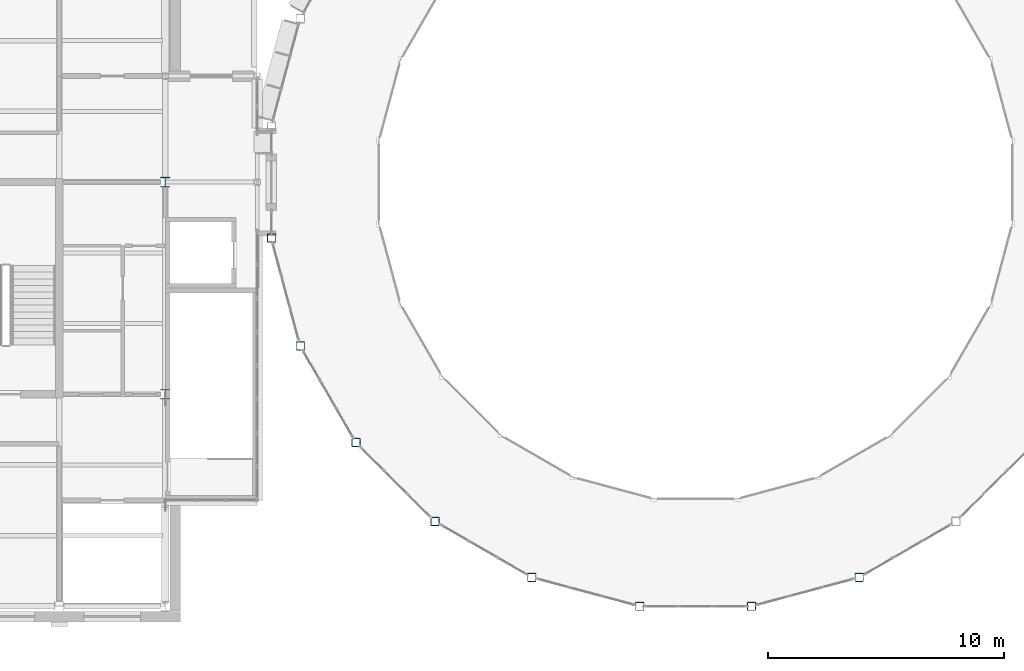
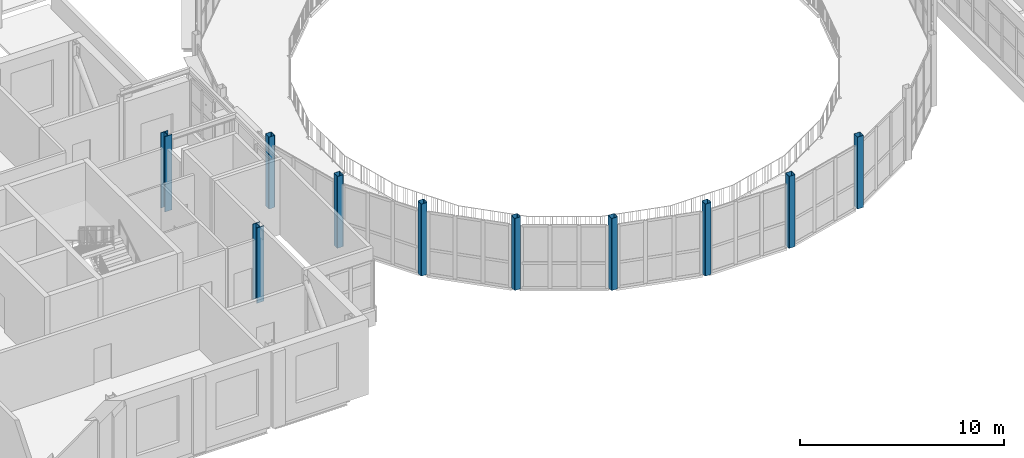
# One storey, part 2 of 74: 10 columns.
"""IFC4 building model written with IfcOpenShell, lengths in metres."""

from ifc_helpers import new_model, si_unit, direction, frame, origin, origin_2d, place, context, subcontext, project, spatial, hollow_rectangle, i_section, extrude, material, material_profile, profile_set, type_object, element, save


model = new_model("IFC4")

# Units and contexts
model_context = context("Model", 3, precision=1e-05, world=origin(), true_north=direction((0.0, 1.0)))
body_context = subcontext(model_context, "Body", "Model", "MODEL_VIEW")
ifc_project = project(units=[si_unit("LENGTHUNIT", "METRE"), si_unit("AREAUNIT", "SQUARE_METRE"), si_unit("VOLUMEUNIT", "CUBIC_METRE"), si_unit("PLANEANGLEUNIT", "RADIAN"), si_unit("MASSUNIT", "GRAM", prefix="KILO")], contexts=[model_context])

# Site, building, storey
site_placement = place(None, origin())
site = spatial("IfcSite", under=ifc_project, at=site_placement, CompositionType="ELEMENT")
building_placement = place(site_placement, origin())
building = spatial("IfcBuilding", under=site, at=building_placement, Name="Hortulan Conservatory and Botanical Research Centre", CompositionType="ELEMENT")
storey_placement = place(building_placement, frame((0.0, 0.0, 6.0)))
storey = spatial("IfcBuildingStorey", under=building, at=storey_placement, Name="L01", CompositionType="ELEMENT", Elevation=6.0)

# Columns
ifc_material_1 = material(Name="Steel Grade C450L0 (450 MPa, AS/NZS 1163)", Category="steel")
ifc_material_profile_1 = material_profile(ifc_material_1, hollow_rectangle(XDim=0.35009765625, YDim=0.35009765625, WallThickness=0.012451171875, InnerFilletRadius=0.018798828125, OuterFilletRadius=0.03125, at=origin_2d()), Name="350x350x12.5SHS")
ifc_profile_set_1 = profile_set([ifc_material_profile_1], Name="Steel Grade C450L0 (450 MPa, AS/NZS 1163)")
column_type_1 = type_object("IfcColumnType", Name="Dome Drum Column 350x350x12.5 SHS", PredefinedType="COLUMN", material=ifc_profile_set_1)
for number, where, z_axis, x_axis, name in (
    (1, (36.0, 15.63037109375, 0.0), (0.0, 0.0, 1.0), (1.0, 0.0, 0.0), "Dome drum column 13 L01"),
    (2, (37.226806640625, 11.05224609375, 0.0), (0.0, 0.0, 1.0), (1.0, 0.0, 0.0), "Dome drum column 14 L01"),
    (3, (39.596435546875, 6.94775390625, 0.0), (0.0, 0.0, 1.0), (1.0, 0.0, 0.0), "Dome drum column 15 L01"),
    (4, (42.94775390625, 3.596435546875, 0.0), (0.0, 0.0, 1.0), (1.0, 0.0, 0.0), "Dome drum column 16 L01"),
    (5, (47.05224609375, 1.226806640625, 0.0), (0.0, 0.0, 1.0), (1.0, 0.0, 0.0), "Dome drum column 17 L01"),
    (6, (51.63037109375, 0.0, 0.0), (0.0, 0.0, 1.0), (1.0, 0.0, 0.0), "Dome drum column 18 L01"),
    (7, (56.36962890625, 0.0, 0.0), (0.0, 0.0, 1.0), (1.0, 0.0, 0.0), "Dome drum column 19 L01"),
    (8, (60.94775390625, 1.226806640625, 0.0), (0.0, 0.0, 1.0), (1.0, 0.0, 0.0), "Dome drum column 20 L01"),
):
    element("IfcColumn", number, at=place(storey_placement, frame(where, z_axis=z_axis, x_axis=x_axis)), inside=storey, type_object=column_type_1, Name=name, PredefinedType="COLUMN", context=body_context, shape_type="SweptSolid", body=[
        extrude(hollow_rectangle(XDim=0.35009765625, YDim=0.35009765625, WallThickness=0.012451171875, InnerFilletRadius=0.018798828125, OuterFilletRadius=0.03125, at=origin_2d()), origin(), (0.0, 0.0, 1.0), 4.300048828125),
    ])
ifc_material_2 = material(Name="Steel Grade 300 (AS/NZS 3679.2, plate AS/NZS 3678, 280 MPa minimum yield)", Category="steel")
ifc_material_profile_2 = material_profile(ifc_material_2, i_section(OverallWidth=0.39990234375, OverallDepth=0.422119140625, WebThickness=0.028076171875, FlangeThickness=0.035888671875, at=origin_2d()), Name="400WC303")
ifc_profile_set_2 = profile_set([ifc_material_profile_2], Name="Steel Grade 300 (AS/NZS 3679.2, plate AS/NZS 3678, 280 MPa minimum yield)")
column_type_2 = type_object("IfcColumnType", Name="Tower Column 400WC303", PredefinedType="COLUMN", material=ifc_profile_set_2)
for number, where, z_axis, x_axis, name in (
    (9, (31.5, 9.0, 0.0), (0.0, 0.0, 1.0), (1.0, 0.0, 0.0), "400WC303 column"),
    (10, (31.5, 18.0, 0.0), (0.0, 0.0, 1.0), (1.0, 0.0, 0.0), "400WC303 column"),
):
    element("IfcColumn", number, at=place(storey_placement, frame(where, z_axis=z_axis, x_axis=x_axis)), inside=storey, type_object=column_type_2, Name=name, PredefinedType="COLUMN", context=body_context, shape_type="SweptSolid", body=[
        extrude(i_section(OverallWidth=0.39990234375, OverallDepth=0.422119140625, WebThickness=0.028076171875, FlangeThickness=0.035888671875, at=origin_2d()), origin(), (0.0, 0.0, 1.0), 4.5),
    ])

save(model, "model.ifc")
